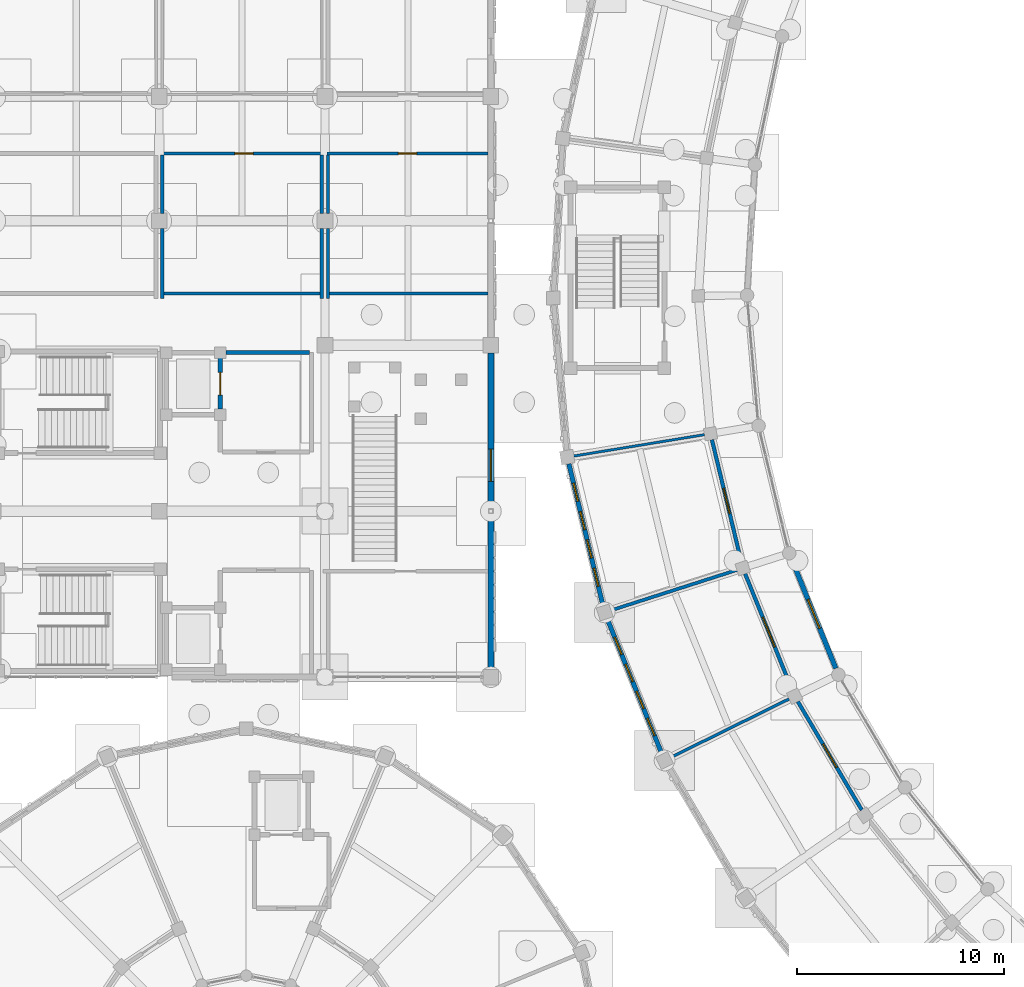
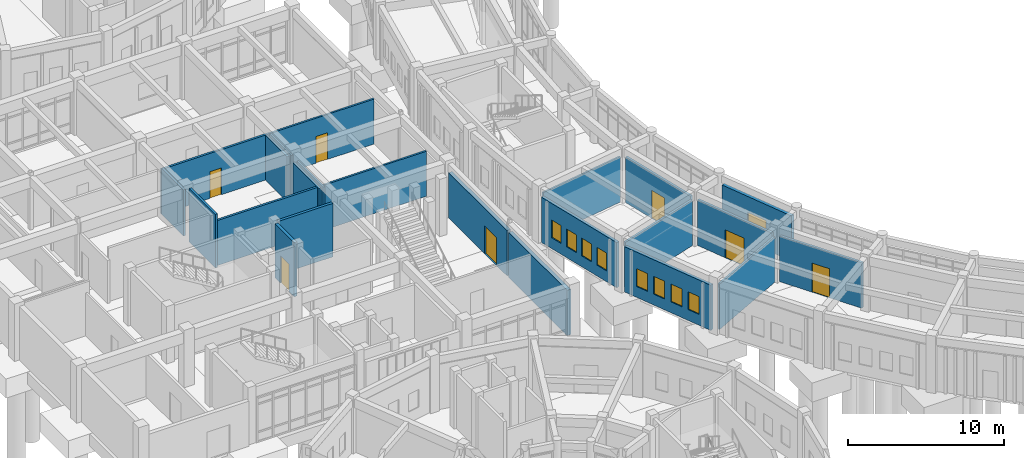
# One storey, part 120 of 153: 23 walls, 9 windows, 7 doors, 16 openings.
"""IFC4 building model written with IfcOpenShell, lengths in metres."""

from ifc_helpers import new_model, si_unit, direction, frame, frame_2d, origin, place, context, subcontext, project, spatial, rectangle, extrude, material, layer, layer_set, type_object, element, fill, save


model = new_model("IFC4")

# Units and contexts
model_context = context("Model", 3, precision=1e-05, world=origin(), true_north=direction((0.0, 1.0)))
body_context = subcontext(model_context, "Body", "Model", "MODEL_VIEW")
ifc_project = project(units=[si_unit("LENGTHUNIT", "METRE"), si_unit("AREAUNIT", "SQUARE_METRE"), si_unit("VOLUMEUNIT", "CUBIC_METRE"), si_unit("PLANEANGLEUNIT", "RADIAN"), si_unit("MASSUNIT", "GRAM", prefix="KILO")], contexts=[model_context])

# Site, building, storey
site_placement = place(None, origin())
site = spatial("IfcSite", under=ifc_project, at=site_placement, CompositionType="ELEMENT")
building_placement = place(site_placement, origin())
building = spatial("IfcBuilding", under=site, at=building_placement, Name="Celadon Cloister-Ring School", CompositionType="ELEMENT")
storey_placement = place(building_placement, origin())
storey = spatial("IfcBuildingStorey", under=building, at=storey_placement, Name="L00", CompositionType="ELEMENT", Elevation=0.0)

# Wall, opening, door
ifc_material_1 = material(Name="Rendered concrete blockwork", Category="masonry")
ifc_layer_1 = layer(ifc_material_1, 0.280029296875)
ifc_layer_set_1 = layer_set([ifc_layer_1], Name="Rendered concrete blockwork")
wall_type_1 = type_object("IfcWallType", Name="WT-EX1", PredefinedType="SOLIDWALL", material=ifc_layer_set_1)
wall_1_placement = place(storey_placement, frame((32.0, 55.623046875, 0.0), z_axis=(0.0, 0.0, 1.0), x_axis=(0.0, -1.0, 0.0)))
wall_1 = element("IfcWall", 1, at=wall_1_placement, inside=storey, type_object=wall_type_1, Name="Exterior Wall 0492", PredefinedType="SOLIDWALL", context=body_context, shape_type="SweptSolid", body=[
    extrude(rectangle(XDim=7.510986328125, YDim=0.280029296875, at=frame_2d((3.75537109375, 0.0))), origin(), (0.0, 0.0, 1.0), 3.550048828125),
])
opening_1_placement = place(wall_1_placement, frame((4.633056640625, 0.0, 0.0)))
opening_1 = element("IfcOpeningElement", 2, at=opening_1_placement, cuts=wall_1, Name="Opening D-0024", PredefinedType="OPENING", context=body_context, shape_type="SweptSolid", body=[
    extrude(rectangle(XDim=1.550048828125, YDim=2.199951171875, at=frame_2d((0.77490234375, 1.10009765625))), frame((0.0, 0.14990234375, 0.0), z_axis=(0.0, -1.0, 0.0), x_axis=(1.0, 0.0, 0.0)), (0.0, 0.0, 1.0), 0.300048828125),
])
ifc_material_2 = material(Name="Aluminium EN AW-6063 T6", Category="aluminium")
door_type_1 = type_object("IfcDoorType", Name="DE-08", OperationType="NOTDEFINED", PredefinedType="DOOR", material=ifc_material_2)
door_1_placement = place(opening_1_placement, origin())
door_1 = element("IfcDoor", 3, at=door_1_placement, inside=storey, type_object=door_type_1, Name="Exterior Door D-0024", OperationType="SINGLE_SWING_RIGHT", OverallHeight=2.199951171875, OverallWidth=1.550048828125, PredefinedType="DOOR", context=body_context, shape_type="SweptSolid", body=[
    extrude(rectangle(XDim=1.550048828125, YDim=2.199951171875, at=frame_2d((0.77490234375, 1.10009765625))), frame((0.0, 0.02490234375, 0.0), z_axis=(0.0, -1.0, 0.0), x_axis=(1.0, 0.0, 0.0)), (0.0, 0.0, 1.0), 0.050048828125),
])
fill(opening_1, door_1)

# Wall
wall_2_placement = place(storey_placement, frame((32.0, 47.887939453125, 0.0), z_axis=(0.0, 0.0, 1.0), x_axis=(0.0, -1.0, 0.0)))
element("IfcWall", 4, at=wall_2_placement, inside=storey, type_object=wall_type_1, Name="Exterior Wall 0493", PredefinedType="SOLIDWALL", context=body_context, shape_type="SweptSolid", body=[
    extrude(rectangle(XDim=7.510986328125, YDim=0.280029296875, at=frame_2d((3.75537109375, 0.0))), origin(), (0.0, 0.0, 1.0), 3.550048828125),
])

# Wall, opening, window
ifc_material_3 = material(Name="Rendered concrete blockwork", Category="masonry")
ifc_layer_2 = layer(ifc_material_3, 0.239990234375)
ifc_layer_set_2 = layer_set([ifc_layer_2], Name="Rendered concrete blockwork")
wall_type_2 = type_object("IfcWallType", Name="WT-EX3", PredefinedType="SOLIDWALL", material=ifc_layer_set_2)
wall_3_placement = place(storey_placement, frame((46.510986328125, 45.669921875, 0.0), z_axis=(0.0, 0.0, 1.0), x_axis=(0.374984650913, -0.927031019751, 0.0)))
wall_3 = element("IfcWall", 5, at=wall_3_placement, inside=storey, type_object=wall_type_2, Name="Exterior Wall 0015", PredefinedType="SOLIDWALL", context=body_context, shape_type="SweptSolid", body=[
    extrude(rectangle(XDim=5.664306640625, YDim=0.239990234375, at=frame_2d((2.83203125, 0.0))), origin(), (0.0, 0.0, 1.0), 3.550048828125),
])
opening_2_placement = place(wall_3_placement, frame((2.08203125, 0.0, 0.89990234375)))
opening_2 = element("IfcOpeningElement", 6, at=opening_2_placement, cuts=wall_3, Name="Opening WN-25", PredefinedType="OPENING", context=body_context, shape_type="SweptSolid", body=[
    extrude(rectangle(XDim=1.5, YDim=1.39990234375, at=frame_2d((0.75, 0.699951171875))), frame((0.0, 0.1298828125, 0.0), z_axis=(0.0, -1.0, 0.0), x_axis=(1.0, 0.0, 0.0)), (0.0, 0.0, 1.0), 0.260009765625),
])
ifc_material_4 = material(Name="Tempered laminated insulating glass", Category="glass")
window_type_1 = type_object("IfcWindowType", Name="WN-25", PartitioningType="DOUBLE_PANEL_VERTICAL", PredefinedType="WINDOW", material=ifc_material_4)
window_1_placement = place(opening_2_placement, origin())
window_1 = element("IfcWindow", 7, at=window_1_placement, inside=storey, type_object=window_type_1, Name="Window 0037", OverallHeight=1.39990234375, OverallWidth=1.5, PartitioningType="SINGLE_PANEL", PredefinedType="WINDOW", context=body_context, shape_type="SweptSolid", body=[
    extrude(rectangle(XDim=1.5, YDim=1.39990234375, at=frame_2d((0.75, 0.699951171875))), frame((0.0, 0.030029296875, 0.0), z_axis=(0.0, -1.0, 0.0), x_axis=(1.0, 0.0, 0.0)), (0.0, 0.0, 1.0), 0.06005859375),
])
fill(opening_2, window_1)

# Wall, openings, windows
ifc_material_5 = material(Name="Perforated terracotta clay brick masonry", Category="masonry")
ifc_layer_3 = layer(ifc_material_5, 0.219970703125)
ifc_layer_set_3 = layer_set([ifc_layer_3], Name="Perforated terracotta clay brick masonry")
wall_type_3 = type_object("IfcWallType", Name="WT-EX4", PredefinedType="SOLIDWALL", material=ifc_layer_set_3)
wall_4_placement = place(storey_placement, frame((37.406005859375, 43.445068359375, 0.0), z_axis=(0.0, 0.0, 1.0), x_axis=(-0.233995482049, 0.972237684098, 0.0)))
wall_4 = element("IfcWall", 8, at=wall_4_placement, inside=storey, type_object=wall_type_3, Name="Exterior Wall 0013", PredefinedType="SOLIDWALL", context=body_context, shape_type="SweptSolid", body=[
    extrude(rectangle(XDim=7.030029296875, YDim=0.219970703125, at=frame_2d((3.51513671875, 0.0))), origin(), (0.0, 0.0, 1.0), 3.550048828125),
])
opening_3_placement = place(wall_4_placement, frame((0.9560546875, 0.0, 0.85009765625)))
opening_3 = element("IfcOpeningElement", 9, at=opening_3_placement, cuts=wall_4, Name="Opening WN-21", PredefinedType="OPENING", context=body_context, shape_type="SweptSolid", body=[
    extrude(rectangle(XDim=0.89990234375, YDim=1.39990234375, at=frame_2d((0.449951171875, 0.699951171875))), frame((0.0, 0.1201171875, 0.0), z_axis=(0.0, -1.0, 0.0), x_axis=(1.0, 0.0, 0.0)), (0.0, 0.0, 1.0), 0.239990234375),
])
opening_4_placement = place(wall_4_placement, frame((2.362060546875, 0.0, 0.85009765625)))
opening_4 = element("IfcOpeningElement", 10, at=opening_4_placement, cuts=wall_4, Name="Opening WN-21", PredefinedType="OPENING", context=body_context, shape_type="SweptSolid", body=[
    extrude(rectangle(XDim=0.89990234375, YDim=1.39990234375, at=frame_2d((0.449951171875, 0.699951171875))), frame((0.0, 0.1201171875, 0.0), z_axis=(0.0, -1.0, 0.0), x_axis=(1.0, 0.0, 0.0)), (0.0, 0.0, 1.0), 0.239990234375),
])
opening_5_placement = place(wall_4_placement, frame((3.76806640625, 0.0, 0.85009765625)))
opening_5 = element("IfcOpeningElement", 11, at=opening_5_placement, cuts=wall_4, Name="Opening WN-21", PredefinedType="OPENING", context=body_context, shape_type="SweptSolid", body=[
    extrude(rectangle(XDim=0.89990234375, YDim=1.39990234375, at=frame_2d((0.449951171875, 0.699951171875))), frame((0.0, 0.1201171875, 0.0), z_axis=(0.0, -1.0, 0.0), x_axis=(1.0, 0.0, 0.0)), (0.0, 0.0, 1.0), 0.239990234375),
])
opening_6_placement = place(wall_4_placement, frame((5.174072265625, 0.0, 0.85009765625)))
opening_6 = element("IfcOpeningElement", 12, at=opening_6_placement, cuts=wall_4, Name="Opening WN-21", PredefinedType="OPENING", context=body_context, shape_type="SweptSolid", body=[
    extrude(rectangle(XDim=0.89990234375, YDim=1.39990234375, at=frame_2d((0.449951171875, 0.699951171875))), frame((0.0, 0.1201171875, 0.0), z_axis=(0.0, -1.0, 0.0), x_axis=(1.0, 0.0, 0.0)), (0.0, 0.0, 1.0), 0.239990234375),
])
ifc_material_6 = material(Name="Tempered laminated insulating glass", Category="glass")
window_type_2 = type_object("IfcWindowType", Name="WN-21", PartitioningType="SINGLE_PANEL", PredefinedType="WINDOW", material=ifc_material_6)
window_2_placement = place(opening_3_placement, origin())
window_2 = element("IfcWindow", 13, at=window_2_placement, inside=storey, type_object=window_type_2, Name="Window 0029", OverallHeight=1.39990234375, OverallWidth=0.89990234375, PartitioningType="SINGLE_PANEL", PredefinedType="WINDOW", context=body_context, shape_type="SweptSolid", body=[
    extrude(rectangle(XDim=0.89990234375, YDim=1.39990234375, at=frame_2d((0.449951171875, 0.699951171875))), frame((0.0, 0.030029296875, 0.0), z_axis=(0.0, -1.0, 0.0), x_axis=(1.0, 0.0, 0.0)), (0.0, 0.0, 1.0), 0.06005859375),
])
fill(opening_3, window_2)
window_3_placement = place(opening_4_placement, origin())
window_3 = element("IfcWindow", 14, at=window_3_placement, inside=storey, type_object=window_type_2, Name="Window 0030", OverallHeight=1.39990234375, OverallWidth=0.89990234375, PartitioningType="SINGLE_PANEL", PredefinedType="WINDOW", context=body_context, shape_type="SweptSolid", body=[
    extrude(rectangle(XDim=0.89990234375, YDim=1.39990234375, at=frame_2d((0.449951171875, 0.699951171875))), frame((0.0, 0.030029296875, 0.0), z_axis=(0.0, -1.0, 0.0), x_axis=(1.0, 0.0, 0.0)), (0.0, 0.0, 1.0), 0.06005859375),
])
fill(opening_4, window_3)
window_4_placement = place(opening_5_placement, origin())
window_4 = element("IfcWindow", 15, at=window_4_placement, inside=storey, type_object=window_type_2, Name="Window 0031", OverallHeight=1.39990234375, OverallWidth=0.89990234375, PartitioningType="SINGLE_PANEL", PredefinedType="WINDOW", context=body_context, shape_type="SweptSolid", body=[
    extrude(rectangle(XDim=0.89990234375, YDim=1.39990234375, at=frame_2d((0.449951171875, 0.699951171875))), frame((0.0, 0.030029296875, 0.0), z_axis=(0.0, -1.0, 0.0), x_axis=(1.0, 0.0, 0.0)), (0.0, 0.0, 1.0), 0.06005859375),
])
fill(opening_5, window_4)
window_5_placement = place(opening_6_placement, origin())
window_5 = element("IfcWindow", 16, at=window_5_placement, inside=storey, type_object=window_type_2, Name="Window 0032", OverallHeight=1.39990234375, OverallWidth=0.89990234375, PartitioningType="SINGLE_PANEL", PredefinedType="WINDOW", context=body_context, shape_type="SweptSolid", body=[
    extrude(rectangle(XDim=0.89990234375, YDim=1.39990234375, at=frame_2d((0.449951171875, 0.699951171875))), frame((0.0, 0.030029296875, 0.0), z_axis=(0.0, -1.0, 0.0), x_axis=(1.0, 0.0, 0.0)), (0.0, 0.0, 1.0), 0.06005859375),
])
fill(opening_6, window_5)

wall_5_placement = place(storey_placement, frame((40.2490234375, 36.2890625, 0.0), z_axis=(0.0, 0.0, 1.0), x_axis=(-0.375213359758, 0.926938474042, 0.0)))
wall_5 = element("IfcWall", 17, at=wall_5_placement, inside=storey, type_object=wall_type_3, Name="Exterior Wall 0014", PredefinedType="SOLIDWALL", context=body_context, shape_type="SweptSolid", body=[
    extrude(rectangle(XDim=7.030517578125, YDim=0.219970703125, at=frame_2d((3.51513671875, 0.0))), origin(), (0.0, 0.0, 1.0), 3.550048828125),
])
opening_7_placement = place(wall_5_placement, frame((0.9560546875, 0.0, 0.85009765625)))
opening_7 = element("IfcOpeningElement", 18, at=opening_7_placement, cuts=wall_5, Name="Opening WN-21", PredefinedType="OPENING", context=body_context, shape_type="SweptSolid", body=[
    extrude(rectangle(XDim=0.89990234375, YDim=1.39990234375, at=frame_2d((0.449951171875, 0.699951171875))), frame((0.0, 0.1201171875, 0.0), z_axis=(0.0, -1.0, 0.0), x_axis=(1.0, 0.0, 0.0)), (0.0, 0.0, 1.0), 0.239990234375),
])
opening_8_placement = place(wall_5_placement, frame((2.362060546875, 0.0, 0.85009765625)))
opening_8 = element("IfcOpeningElement", 19, at=opening_8_placement, cuts=wall_5, Name="Opening WN-21", PredefinedType="OPENING", context=body_context, shape_type="SweptSolid", body=[
    extrude(rectangle(XDim=0.89990234375, YDim=1.39990234375, at=frame_2d((0.449951171875, 0.699951171875))), frame((0.0, 0.1201171875, 0.0), z_axis=(0.0, -1.0, 0.0), x_axis=(1.0, 0.0, 0.0)), (0.0, 0.0, 1.0), 0.239990234375),
])
opening_9_placement = place(wall_5_placement, frame((3.76806640625, 0.0, 0.85009765625)))
opening_9 = element("IfcOpeningElement", 20, at=opening_9_placement, cuts=wall_5, Name="Opening WN-21", PredefinedType="OPENING", context=body_context, shape_type="SweptSolid", body=[
    extrude(rectangle(XDim=0.89990234375, YDim=1.39990234375, at=frame_2d((0.449951171875, 0.699951171875))), frame((0.0, 0.1201171875, 0.0), z_axis=(0.0, -1.0, 0.0), x_axis=(1.0, 0.0, 0.0)), (0.0, 0.0, 1.0), 0.239990234375),
])
opening_10_placement = place(wall_5_placement, frame((5.175048828125, 0.0, 0.85009765625)))
opening_10 = element("IfcOpeningElement", 21, at=opening_10_placement, cuts=wall_5, Name="Opening WN-21", PredefinedType="OPENING", context=body_context, shape_type="SweptSolid", body=[
    extrude(rectangle(XDim=0.89990234375, YDim=1.39990234375, at=frame_2d((0.449951171875, 0.699951171875))), frame((0.0, 0.1201171875, 0.0), z_axis=(0.0, -1.0, 0.0), x_axis=(1.0, 0.0, 0.0)), (0.0, 0.0, 1.0), 0.239990234375),
])
window_6_placement = place(opening_7_placement, origin())
window_6 = element("IfcWindow", 22, at=window_6_placement, inside=storey, type_object=window_type_2, Name="Window 0033", OverallHeight=1.39990234375, OverallWidth=0.89990234375, PartitioningType="SINGLE_PANEL", PredefinedType="WINDOW", context=body_context, shape_type="SweptSolid", body=[
    extrude(rectangle(XDim=0.89990234375, YDim=1.39990234375, at=frame_2d((0.449951171875, 0.699951171875))), frame((0.0, 0.030029296875, 0.0), z_axis=(0.0, -1.0, 0.0), x_axis=(1.0, 0.0, 0.0)), (0.0, 0.0, 1.0), 0.06005859375),
])
fill(opening_7, window_6)
window_7_placement = place(opening_8_placement, origin())
window_7 = element("IfcWindow", 23, at=window_7_placement, inside=storey, type_object=window_type_2, Name="Window 0034", OverallHeight=1.39990234375, OverallWidth=0.89990234375, PartitioningType="SINGLE_PANEL", PredefinedType="WINDOW", context=body_context, shape_type="SweptSolid", body=[
    extrude(rectangle(XDim=0.89990234375, YDim=1.39990234375, at=frame_2d((0.449951171875, 0.699951171875))), frame((0.0, 0.030029296875, 0.0), z_axis=(0.0, -1.0, 0.0), x_axis=(1.0, 0.0, 0.0)), (0.0, 0.0, 1.0), 0.06005859375),
])
fill(opening_8, window_7)
window_8_placement = place(opening_9_placement, origin())
window_8 = element("IfcWindow", 24, at=window_8_placement, inside=storey, type_object=window_type_2, Name="Window 0035", OverallHeight=1.39990234375, OverallWidth=0.89990234375, PartitioningType="SINGLE_PANEL", PredefinedType="WINDOW", context=body_context, shape_type="SweptSolid", body=[
    extrude(rectangle(XDim=0.89990234375, YDim=1.39990234375, at=frame_2d((0.449951171875, 0.699951171875))), frame((0.0, 0.030029296875, 0.0), z_axis=(0.0, -1.0, 0.0), x_axis=(1.0, 0.0, 0.0)), (0.0, 0.0, 1.0), 0.06005859375),
])
fill(opening_9, window_8)
window_9_placement = place(opening_10_placement, origin())
window_9 = element("IfcWindow", 25, at=window_9_placement, inside=storey, type_object=window_type_2, Name="Window 0036", OverallHeight=1.39990234375, OverallWidth=0.89990234375, PartitioningType="SINGLE_PANEL", PredefinedType="WINDOW", context=body_context, shape_type="SweptSolid", body=[
    extrude(rectangle(XDim=0.89990234375, YDim=1.39990234375, at=frame_2d((0.449951171875, 0.699951171875))), frame((0.0, 0.030029296875, 0.0), z_axis=(0.0, -1.0, 0.0), x_axis=(1.0, 0.0, 0.0)), (0.0, 0.0, 1.0), 0.06005859375),
])
fill(opening_10, window_9)

# Wall
ifc_material_7 = material(Name="Plastered hollow concrete masonry", Category="masonry")
ifc_layer_4 = layer(ifc_material_7, 0.199951171875)
ifc_layer_set_4 = layer_set([ifc_layer_4], Name="Plastered hollow concrete masonry")
wall_type_4 = type_object("IfcWallType", Name="WT-PT1", PredefinedType="PARTITIONING", material=ifc_layer_set_4)
wall_6_placement = place(storey_placement, frame((19.217041015625, 55.64990234375, 0.0), z_axis=(0.0, 0.0, 1.0), x_axis=(1.0, 0.0, 0.0)))
element("IfcWall", 26, at=wall_6_placement, inside=storey, type_object=wall_type_4, Name="Interior Wall 0257", PredefinedType="PARTITIONING", context=body_context, shape_type="SweptSolid", body=[
    extrude(rectangle(XDim=4.030029296875, YDim=0.199951171875, at=frame_2d((2.01513671875, 0.0))), origin(), (0.0, 0.0, 1.0), 4.199951171875),
])

# Wall, opening, door
ifc_material_8 = material(Name="Plastered hollow concrete masonry", Category="masonry")
ifc_layer_5 = layer(ifc_material_8, 0.179931640625)
ifc_layer_set_5 = layer_set([ifc_layer_5], Name="Plastered hollow concrete masonry")
wall_type_5 = type_object("IfcWallType", Name="WT-PT2", PredefinedType="PARTITIONING", material=ifc_layer_set_5)
wall_7_placement = place(storey_placement, frame((42.658935546875, 51.451904296875, 0.0), z_axis=(0.0, 0.0, 1.0), x_axis=(0.23391817251, -0.972256287493, 0.0)))
wall_7 = element("IfcWall", 27, at=wall_7_placement, inside=storey, type_object=wall_type_5, Name="Interior Wall 0460", PredefinedType="PARTITIONING", context=body_context, shape_type="SweptSolid", body=[
    extrude(rectangle(XDim=6.07958984375, YDim=0.179931640625, at=frame_2d((3.039794921875, 0.0))), origin(), (0.0, 0.0, 1.0), 3.572021484375),
])
opening_11_placement = place(wall_7_placement, frame((2.4150390625, 0.0, 0.0)))
opening_11 = element("IfcOpeningElement", 28, at=opening_11_placement, cuts=wall_7, Name="Opening D-0121", PredefinedType="OPENING", context=body_context, shape_type="SweptSolid", body=[
    extrude(rectangle(XDim=1.25, YDim=2.199951171875, at=frame_2d((0.625, 1.10009765625))), frame((0.0, 0.10009765625, 0.0), z_axis=(0.0, -1.0, 0.0), x_axis=(1.0, 0.0, 0.0)), (0.0, 0.0, 1.0), 0.199951171875),
])
ifc_material_9 = material(Name="Galvanised fire-rated hollow steel leaf", Category="steel")
door_type_2 = type_object("IfcDoorType", Name="DT-10", OperationType="NOTDEFINED", PredefinedType="DOOR", material=ifc_material_9)
door_2_placement = place(opening_11_placement, origin())
door_2 = element("IfcDoor", 29, at=door_2_placement, inside=storey, type_object=door_type_2, Name="Door D-0121", OperationType="SINGLE_SWING_LEFT", OverallHeight=2.199951171875, OverallWidth=1.25, PredefinedType="DOOR", context=body_context, shape_type="SweptSolid", body=[
    extrude(rectangle(XDim=1.25, YDim=2.199951171875, at=frame_2d((0.625, 1.10009765625))), frame((0.0, 0.02490234375, 0.0), z_axis=(0.0, -1.0, 0.0), x_axis=(1.0, 0.0, 0.0)), (0.0, 0.0, 1.0), 0.050048828125),
])
fill(opening_11, door_2)

wall_8_placement = place(storey_placement, frame((44.260009765625, 44.985107421875, 0.0), z_axis=(0.0, 0.0, 1.0), x_axis=(0.375035083014, -0.927010618337, 0.0)))
wall_8 = element("IfcWall", 30, at=wall_8_placement, inside=storey, type_object=wall_type_5, Name="Interior Wall 0461", PredefinedType="PARTITIONING", context=body_context, shape_type="SweptSolid", body=[
    extrude(rectangle(XDim=6.08203125, YDim=0.179931640625, at=frame_2d((3.041015625, 0.0))), origin(), (0.0, 0.0, 1.0), 3.572021484375),
])
opening_12_placement = place(wall_8_placement, frame((2.26611328125, 0.0, 0.0)))
opening_12 = element("IfcOpeningElement", 31, at=opening_12_placement, cuts=wall_8, Name="Opening D-0122", PredefinedType="OPENING", context=body_context, shape_type="SweptSolid", body=[
    extrude(rectangle(XDim=1.550048828125, YDim=2.199951171875, at=frame_2d((0.77490234375, 1.10009765625))), frame((0.0, 0.10009765625, 0.0), z_axis=(0.0, -1.0, 0.0), x_axis=(1.0, 0.0, 0.0)), (0.0, 0.0, 1.0), 0.199951171875),
])
ifc_material_10 = material(Name="Galvanised fire-rated hollow steel leaf", Category="steel")
door_type_3 = type_object("IfcDoorType", Name="DT-13", OperationType="NOTDEFINED", PredefinedType="DOOR", material=ifc_material_10)
door_3_placement = place(opening_12_placement, origin())
door_3 = element("IfcDoor", 32, at=door_3_placement, inside=storey, type_object=door_type_3, Name="Door D-0122", OperationType="SINGLE_SWING_RIGHT", OverallHeight=2.199951171875, OverallWidth=1.550048828125, PredefinedType="DOOR", context=body_context, shape_type="SweptSolid", body=[
    extrude(rectangle(XDim=1.550048828125, YDim=2.199951171875, at=frame_2d((0.77490234375, 1.10009765625))), frame((0.0, 0.02490234375, 0.0), z_axis=(0.0, -1.0, 0.0), x_axis=(1.0, 0.0, 0.0)), (0.0, 0.0, 1.0), 0.050048828125),
])
fill(opening_12, door_3)

wall_9_placement = place(storey_placement, frame((46.800048828125, 38.823974609375, 0.0), z_axis=(0.0, 0.0, 1.0), x_axis=(0.507886500356, -0.861423997086, 0.0)))
wall_9 = element("IfcWall", 33, at=wall_9_placement, inside=storey, type_object=wall_type_5, Name="Interior Wall 0462", PredefinedType="PARTITIONING", context=body_context, shape_type="SweptSolid", body=[
    extrude(rectangle(XDim=6.081787109375, YDim=0.179931640625, at=frame_2d((3.041015625, 0.0))), origin(), (0.0, 0.0, 1.0), 3.572021484375),
])
opening_13_placement = place(wall_9_placement, frame((2.39111328125, 0.0, 0.0)))
opening_13 = element("IfcOpeningElement", 34, at=opening_13_placement, cuts=wall_9, Name="Opening D-0123", PredefinedType="OPENING", context=body_context, shape_type="SweptSolid", body=[
    extrude(rectangle(XDim=1.300048828125, YDim=2.280029296875, at=frame_2d((0.64990234375, 1.14013671875))), frame((0.0, 0.10009765625, 0.0), z_axis=(0.0, -1.0, 0.0), x_axis=(1.0, 0.0, 0.0)), (0.0, 0.0, 1.0), 0.199951171875),
])
ifc_material_11 = material(Name="Galvanised fire-rated hollow steel leaf", Category="steel")
door_type_4 = type_object("IfcDoorType", Name="DT-16", OperationType="NOTDEFINED", PredefinedType="DOOR", material=ifc_material_11)
door_4_placement = place(opening_13_placement, origin())
door_4 = element("IfcDoor", 35, at=door_4_placement, inside=storey, type_object=door_type_4, Name="Door D-0123", OperationType="SINGLE_SWING_LEFT", OverallHeight=2.280029296875, OverallWidth=1.300048828125, PredefinedType="DOOR", context=body_context, shape_type="SweptSolid", body=[
    extrude(rectangle(XDim=1.300048828125, YDim=2.280029296875, at=frame_2d((0.64990234375, 1.14013671875))), frame((0.0, 0.02490234375, 0.0), z_axis=(0.0, -1.0, 0.0), x_axis=(1.0, 0.0, 0.0)), (0.0, 0.0, 1.0), 0.050048828125),
])
fill(opening_13, door_4)

# Wall
ifc_material_12 = material(Name="Plastered hollow concrete masonry", Category="masonry")
ifc_layer_6 = layer(ifc_material_12, 0.159912109375)
ifc_layer_set_6 = layer_set([ifc_layer_6], Name="Plastered hollow concrete masonry")
wall_type_6 = type_object("IfcWallType", Name="WT-PT3", PredefinedType="PARTITIONING", material=ifc_layer_set_6)
wall_10_placement = place(storey_placement, frame((43.8720703125, 45.1669921875, 0.0), z_axis=(0.0, 0.0, 1.0), x_axis=(-0.952209655982, -0.305445201395, 0.0)))
element("IfcWall", 36, at=wall_10_placement, inside=storey, type_object=wall_type_6, Name="Interior Wall 0432", PredefinedType="PARTITIONING", context=body_context, shape_type="SweptSolid", body=[
    extrude(rectangle(XDim=6.390380859375, YDim=0.159912109375, at=frame_2d((3.1953125, 0.0))), origin(), (0.0, 0.0, 1.0), 3.572021484375),
])

# Wall, opening, door
wall_11_placement = place(storey_placement, frame((16.090087890625, 65.25, 0.0), z_axis=(0.0, 0.0, 1.0), x_axis=(1.0, 0.0, 0.0)))
wall_11 = element("IfcWall", 37, at=wall_11_placement, inside=storey, type_object=wall_type_6, Name="Interior Wall 0926", PredefinedType="PARTITIONING", context=body_context, shape_type="SweptSolid", body=[
    extrude(rectangle(XDim=8.0, YDim=0.159912109375, at=frame_2d((4.0, 0.0))), origin(), (0.0, 0.0, 1.0), 3.531982421875),
])
opening_14_placement = place(wall_11_placement, frame((3.56005859375, 0.0, 0.0)))
opening_14 = element("IfcOpeningElement", 38, at=opening_14_placement, cuts=wall_11, Name="Opening D-0337", PredefinedType="OPENING", context=body_context, shape_type="SweptSolid", body=[
    extrude(rectangle(XDim=0.8798828125, YDim=2.10009765625, at=frame_2d((0.43994140625, 1.050048828125))), frame((0.0, 0.08984375, 0.0), z_axis=(0.0, -1.0, 0.0), x_axis=(1.0, 0.0, 0.0)), (0.0, 0.0, 1.0), 0.179931640625),
])
ifc_material_13 = material(Name="Solid-core fire-rated hardwood leaf", Category="wood")
door_type_5 = type_object("IfcDoorType", Name="DT-01", OperationType="NOTDEFINED", PredefinedType="DOOR", material=ifc_material_13)
door_5_placement = place(opening_14_placement, origin())
door_5 = element("IfcDoor", 39, at=door_5_placement, inside=storey, type_object=door_type_5, Name="Door D-0337", OperationType="SINGLE_SWING_LEFT", OverallHeight=2.10009765625, OverallWidth=0.8798828125, PredefinedType="DOOR", context=body_context, shape_type="SweptSolid", body=[
    extrude(rectangle(XDim=0.8798828125, YDim=2.10009765625, at=frame_2d((0.43994140625, 1.050048828125))), frame((0.0, 0.02490234375, 0.0), z_axis=(0.0, -1.0, 0.0), x_axis=(1.0, 0.0, 0.0)), (0.0, 0.0, 1.0), 0.050048828125),
])
fill(opening_14, door_5)

# Walls
wall_12_placement = place(storey_placement, frame((23.85009765625, 65.1669921875, 0.0), z_axis=(0.0, 0.0, 1.0), x_axis=(0.0, -1.0, 0.0)))
element("IfcWall", 40, at=wall_12_placement, inside=storey, type_object=wall_type_6, Name="Interior Wall 0927", PredefinedType="PARTITIONING", context=body_context, shape_type="SweptSolid", body=[
    extrude(rectangle(XDim=2.800048828125, YDim=0.159912109375, at=frame_2d((1.39990234375, 0.0))), origin(), (0.0, 0.0, 1.0), 3.531982421875),
])
wall_13_placement = place(storey_placement, frame((23.85009765625, 61.633056640625, 0.0), z_axis=(0.0, 0.0, 1.0), x_axis=(0.0, -1.0, 0.0)))
element("IfcWall", 41, at=wall_13_placement, inside=storey, type_object=wall_type_6, Name="Interior Wall 0928", PredefinedType="PARTITIONING", context=body_context, shape_type="SweptSolid", body=[
    extrude(rectangle(XDim=3.373046875, YDim=0.159912109375, at=frame_2d((1.6865234375, 0.0))), origin(), (0.0, 0.0, 1.0), 3.531982421875),
])
wall_14_placement = place(storey_placement, frame((16.14990234375, 58.260009765625, 0.0), z_axis=(0.0, 0.0, 1.0), x_axis=(0.0, 1.0, 0.0)))
element("IfcWall", 42, at=wall_14_placement, inside=storey, type_object=wall_type_6, Name="Interior Wall 0929", PredefinedType="PARTITIONING", context=body_context, shape_type="SweptSolid", body=[
    extrude(rectangle(XDim=3.373046875, YDim=0.159912109375, at=frame_2d((1.6865234375, 0.0))), origin(), (0.0, 0.0, 1.0), 4.199951171875),
])
wall_15_placement = place(storey_placement, frame((16.14990234375, 62.366943359375, 0.0), z_axis=(0.0, 0.0, 1.0), x_axis=(0.0, 1.0, 0.0)))
element("IfcWall", 43, at=wall_15_placement, inside=storey, type_object=wall_type_6, Name="Interior Wall 0930", PredefinedType="PARTITIONING", context=body_context, shape_type="SweptSolid", body=[
    extrude(rectangle(XDim=2.800048828125, YDim=0.159912109375, at=frame_2d((1.39990234375, 0.0))), origin(), (0.0, 0.0, 1.0), 3.632080078125),
])
wall_16_placement = place(storey_placement, frame((23.76708984375, 58.5, 0.0), z_axis=(0.0, 0.0, 1.0), x_axis=(-1.0, 0.0, 0.0)))
element("IfcWall", 44, at=wall_16_placement, inside=storey, type_object=wall_type_6, Name="Interior Wall 0931", PredefinedType="PARTITIONING", context=body_context, shape_type="SweptSolid", body=[
    extrude(rectangle(XDim=7.5341796875, YDim=0.159912109375, at=frame_2d((3.76708984375, 0.0))), origin(), (0.0, 0.0, 1.0), 3.531982421875),
])
ifc_material_14 = material(Name="Acoustic mineral-wool drywall partition")
ifc_layer_7 = layer(ifc_material_14, 0.139892578125)
ifc_layer_set_7 = layer_set([ifc_layer_7], Name="Acoustic mineral-wool drywall partition")
wall_type_7 = type_object("IfcWallType", Name="WT-PT4", PredefinedType="PARTITIONING", material=ifc_layer_set_7)
wall_17_placement = place(storey_placement, frame((46.388916015625, 38.947021484375, 0.0), z_axis=(0.0, 0.0, 1.0), x_axis=(-0.896601670098, -0.4428379446, 0.0)))
element("IfcWall", 45, at=wall_17_placement, inside=storey, type_object=wall_type_7, Name="Interior Wall 0433", PredefinedType="PARTITIONING", context=body_context, shape_type="SweptSolid", body=[
    extrude(rectangle(XDim=6.390869140625, YDim=0.139892578125, at=frame_2d((3.1953125, 0.0))), origin(), (0.0, 0.0, 1.0), 3.572021484375),
])

# Wall, opening, door
wall_18_placement = place(storey_placement, frame((24.090087890625, 65.25, 0.0), z_axis=(0.0, 0.0, 1.0), x_axis=(1.0, 0.0, 0.0)))
wall_18 = element("IfcWall", 46, at=wall_18_placement, inside=storey, type_object=wall_type_7, Name="Interior Wall 0932", PredefinedType="PARTITIONING", context=body_context, shape_type="SweptSolid", body=[
    extrude(rectangle(XDim=7.766845703125, YDim=0.139892578125, at=frame_2d((3.88330078125, 0.0))), origin(), (0.0, 0.0, 1.0), 3.531982421875),
])
opening_15_placement = place(wall_18_placement, frame((3.443115234375, 0.0, 0.0)))
opening_15 = element("IfcOpeningElement", 47, at=opening_15_placement, cuts=wall_18, Name="Opening D-0338", PredefinedType="OPENING", context=body_context, shape_type="SweptSolid", body=[
    extrude(rectangle(XDim=0.8798828125, YDim=2.10009765625, at=frame_2d((0.43994140625, 1.050048828125))), frame((0.0, 0.080078125, 0.0), z_axis=(0.0, -1.0, 0.0), x_axis=(1.0, 0.0, 0.0)), (0.0, 0.0, 1.0), 0.159912109375),
])
door_6_placement = place(opening_15_placement, origin())
door_6 = element("IfcDoor", 48, at=door_6_placement, inside=storey, type_object=door_type_5, Name="Door D-0338", OperationType="SINGLE_SWING_RIGHT", OverallHeight=2.10009765625, OverallWidth=0.8798828125, PredefinedType="DOOR", context=body_context, shape_type="SweptSolid", body=[
    extrude(rectangle(XDim=0.8798828125, YDim=2.10009765625, at=frame_2d((0.43994140625, 1.050048828125))), frame((0.0, 0.02490234375, 0.0), z_axis=(0.0, -1.0, 0.0), x_axis=(1.0, 0.0, 0.0)), (0.0, 0.0, 1.0), 0.050048828125),
])
fill(opening_15, door_6)

# Walls
wall_19_placement = place(storey_placement, frame((24.14990234375, 58.260009765625, 0.0), z_axis=(0.0, 0.0, 1.0), x_axis=(0.0, 1.0, 0.0)))
element("IfcWall", 49, at=wall_19_placement, inside=storey, type_object=wall_type_7, Name="Interior Wall 0933", PredefinedType="PARTITIONING", context=body_context, shape_type="SweptSolid", body=[
    extrude(rectangle(XDim=3.373046875, YDim=0.139892578125, at=frame_2d((1.6865234375, 0.0))), origin(), (0.0, 0.0, 1.0), 3.531982421875),
])
wall_20_placement = place(storey_placement, frame((24.14990234375, 62.366943359375, 0.0), z_axis=(0.0, 0.0, 1.0), x_axis=(0.0, 1.0, 0.0)))
element("IfcWall", 50, at=wall_20_placement, inside=storey, type_object=wall_type_7, Name="Interior Wall 0934", PredefinedType="PARTITIONING", context=body_context, shape_type="SweptSolid", body=[
    extrude(rectangle(XDim=2.81005859375, YDim=0.139892578125, at=frame_2d((1.405029296875, 0.0))), origin(), (0.0, 0.0, 1.0), 3.531982421875),
])
wall_21_placement = place(storey_placement, frame((31.85693359375, 58.5, 0.0), z_axis=(0.0, 0.0, 1.0), x_axis=(-1.0, 0.0, 0.0)))
element("IfcWall", 51, at=wall_21_placement, inside=storey, type_object=wall_type_7, Name="Interior Wall 0935", PredefinedType="PARTITIONING", context=body_context, shape_type="SweptSolid", body=[
    extrude(rectangle(XDim=7.634033203125, YDim=0.139892578125, at=frame_2d((3.81689453125, 0.0))), origin(), (0.0, 0.0, 1.0), 3.531982421875),
])
ifc_material_15 = material(Name="Acoustic mineral-wool drywall partition")
ifc_layer_8 = layer(ifc_material_15, 0.1201171875)
ifc_layer_set_8 = layer_set([ifc_layer_8], Name="Acoustic mineral-wool drywall partition")
wall_type_8 = type_object("IfcWallType", Name="WT-PT5", PredefinedType="PARTITIONING", material=ifc_layer_set_8)
wall_22_placement = place(storey_placement, frame((42.302001953125, 51.68994140625, 0.0), z_axis=(0.0, 0.0, 1.0), x_axis=(-0.986875911207, -0.161480450458, 0.0)))
element("IfcWall", 52, at=wall_22_placement, inside=storey, type_object=wall_type_8, Name="Interior Wall 0431", PredefinedType="PARTITIONING", context=body_context, shape_type="SweptSolid", body=[
    extrude(rectangle(XDim=6.390869140625, YDim=0.1201171875, at=frame_2d((3.1953125, 0.0))), origin(), (0.0, 0.0, 1.0), 3.572021484375),
])

# Wall, opening, door
ifc_material_16 = material(Name="Concrete C40/50", Category="concrete")
ifc_layer_9 = layer(ifc_material_16, 0.219970703125)
ifc_layer_set_9 = layer_set([ifc_layer_9], Name="Concrete C40/50")
wall_type_9 = type_object("IfcWallType", Name="WT-SH2", PredefinedType="SHEAR", material=ifc_layer_set_9)
wall_23_placement = place(storey_placement, frame((18.949951171875, 52.9169921875, 0.0), z_axis=(0.0, 0.0, 1.0), x_axis=(0.0, 1.0, 0.0)))
wall_23 = element("IfcWall", 53, at=wall_23_placement, inside=storey, type_object=wall_type_9, Name="Interior Wall 0252", PredefinedType="SHEAR", context=body_context, shape_type="SweptSolid", body=[
    extrude(rectangle(XDim=2.466064453125, YDim=0.219970703125, at=frame_2d((1.23291015625, 0.0))), origin(), (0.0, 0.0, 1.0), 4.239990234375),
])
opening_16_placement = place(wall_23_placement, frame((0.68310546875, 0.0, 0.0)))
opening_16 = element("IfcOpeningElement", 54, at=opening_16_placement, cuts=wall_23, Name="Opening LD-007", PredefinedType="OPENING", context=body_context, shape_type="SweptSolid", body=[
    extrude(rectangle(XDim=1.10009765625, YDim=2.14990234375, at=frame_2d((0.550048828125, 1.074951171875))), frame((0.0, 0.1201171875, 0.0), z_axis=(0.0, -1.0, 0.0), x_axis=(1.0, 0.0, 0.0)), (0.0, 0.0, 1.0), 0.239990234375),
])
ifc_material_17 = material(Name="Galvanised fire-rated hollow steel leaf", Category="steel")
door_type_6 = type_object("IfcDoorType", Name="DT-LD1", OperationType="DOUBLE_DOOR_SLIDING", PredefinedType="DOOR", material=ifc_material_17)
door_7_placement = place(opening_16_placement, origin())
door_7 = element("IfcDoor", 55, at=door_7_placement, inside=storey, type_object=door_type_6, Name="Door LD-007", OperationType="DOUBLE_DOOR_SLIDING", OverallHeight=2.14990234375, OverallWidth=1.10009765625, PredefinedType="DOOR", context=body_context, shape_type="SweptSolid", body=[
    extrude(rectangle(XDim=1.10009765625, YDim=2.14990234375, at=frame_2d((0.550048828125, 1.074951171875))), frame((0.0, 0.02490234375, 0.0), z_axis=(0.0, -1.0, 0.0), x_axis=(1.0, 0.0, 0.0)), (0.0, 0.0, 1.0), 0.050048828125),
])
fill(opening_16, door_7)

save(model, "model.ifc")
